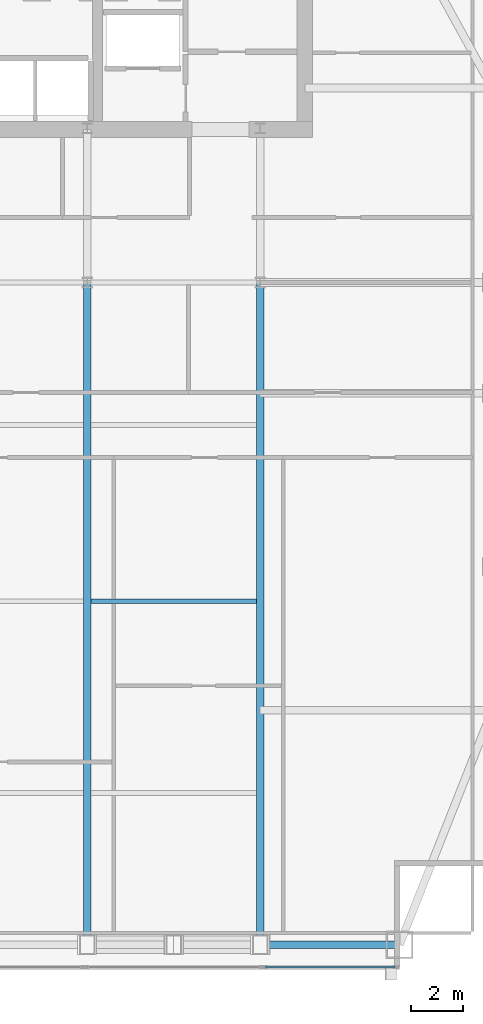
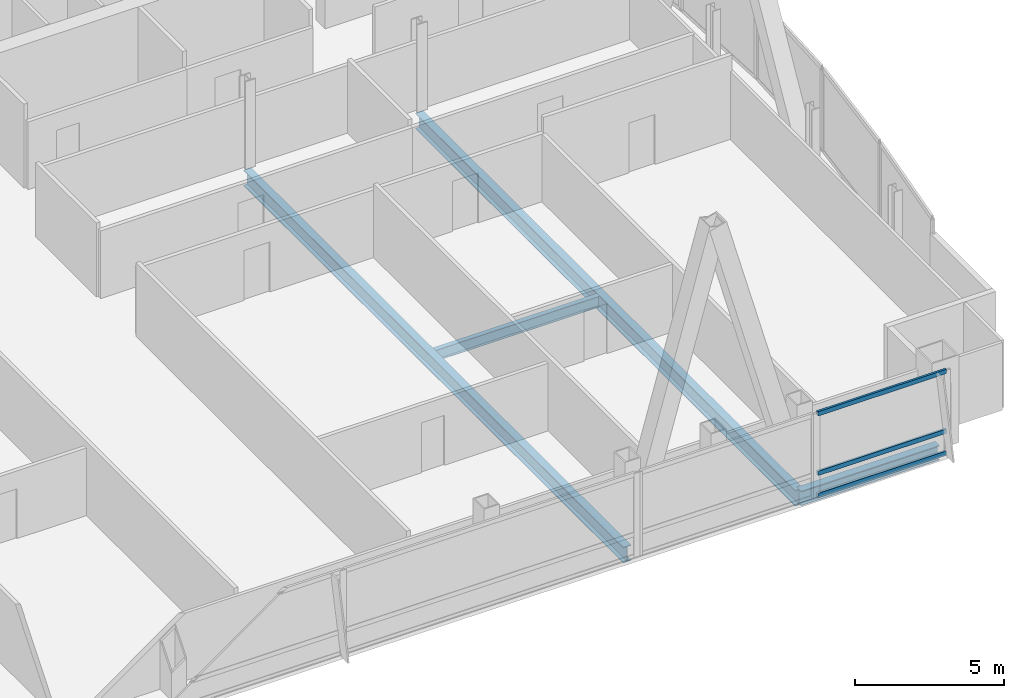
# One storey, part 15 of 31: 4 beams, 3 members, 1 element without a shape of its own.
"""IFC4 building model written with IfcOpenShell, lengths in metres."""

import ifcopenshell
import ifcopenshell.guid

model = None  # the IFC model being written
_history = None  # IfcOwnerHistory: only IFC2X3 demands one
_inside = {}  # id of a spatial element -> (the spatial element, [elements in it])
_under = {}  # id of a project, library or spatial element -> (it, [spatial elements below it])
_declared = {}  # id of a project -> (the project, [libraries it declares])
_typed = {}  # id of a type object -> (the type object, [elements of that type])
_made_of = {}  # id of a material, layer set ... -> (it, [elements and type objects made of it])


def new_model(schema):
    """Start an empty IFC model of exactly this schema.

    Asked for "IFC4X3", IfcOpenShell would pick the latest addendum, in which some entities
    have other attributes; the version numbers below select the first issue.
    IFC2X3 requires an IfcOwnerHistory on every rooted entity: one is made here for all.
    """
    global model, _history
    if schema == "IFC4X3":
        model = ifcopenshell.file(schema_version=(4, 3, 0, 0))
    else:
        model = ifcopenshell.file(schema=schema)
    _inside.clear()
    _under.clear()
    _declared.clear()
    _typed.clear()
    _made_of.clear()
    _history = None
    if model.schema == "IFC2X3":
        org = make("IfcOrganization", Name="unknown")
        user = make(
            "IfcPersonAndOrganization",
            ThePerson=make("IfcPerson", FamilyName="unknown"),
            TheOrganization=org,
        )
        app = make(
            "IfcApplication",
            ApplicationDeveloper=org,
            Version="unknown",
            ApplicationFullName="unknown",
            ApplicationIdentifier="unknown",
        )
        _history = make(
            "IfcOwnerHistory",
            OwningUser=user,
            OwningApplication=app,
            ChangeAction="ADDED",
            CreationDate=0,
        )
    return model


def make(cls, **values):
    """One entity of the class cls with the attributes given. An attribute that is None is left unset."""
    return model.create_entity(
        cls, **{name: value for name, value in values.items() if value is not None}
    )


def rooted(cls, **values):
    """An entity with a GlobalId (a new one), such as an element, a storey or a relation."""
    return make(cls, GlobalId=ifcopenshell.guid.new(), OwnerHistory=_history, **values)


def si_unit(unit_type, name, prefix=None):
    """IfcSIUnit, for example si_unit("LENGTHUNIT", "METRE", prefix="MILLI")."""
    return make("IfcSIUnit", UnitType=unit_type, Prefix=prefix, Name=name)


def assignment(units):
    """IfcUnitAssignment: the units of a project."""
    return None if units is None else make("IfcUnitAssignment", Units=units)


def point(xyz):
    """IfcCartesianPoint."""
    return None if xyz is None else make("IfcCartesianPoint", Coordinates=xyz)


def direction(xyz):
    """IfcDirection."""
    return None if xyz is None else make("IfcDirection", DirectionRatios=xyz)


def frame(location, z_axis=None, x_axis=None):
    """IfcAxis2Placement3D, a coordinate frame: its origin and axes. An axis left out is left unset."""
    return make(
        "IfcAxis2Placement3D",
        Location=point(location),
        Axis=direction(z_axis),
        RefDirection=direction(x_axis),
    )


def frame_2d(location, x_axis=None):
    """IfcAxis2Placement2D, a coordinate frame in the plane: its origin and x axis."""
    return make(
        "IfcAxis2Placement2D", Location=point(location), RefDirection=direction(x_axis)
    )


def origin():
    """The frame at (0, 0, 0) with its axes left unset."""
    return frame((0.0, 0.0, 0.0))


def origin_2d():
    """The frame at (0, 0) in the plane with its x axis left unset."""
    return frame_2d((0.0, 0.0))


def place(relative_to, where):
    """IfcLocalPlacement: puts the frame where relative to a parent placement (None: the world)."""
    return make(
        "IfcLocalPlacement", PlacementRelTo=relative_to, RelativePlacement=where
    )


def context(
    kind, dimensions, precision=None, world=None, true_north=None, identifier=None
):
    """IfcGeometricRepresentationContext, for example the 3D "Model" context."""
    return make(
        "IfcGeometricRepresentationContext",
        ContextIdentifier=identifier,
        ContextType=kind,
        CoordinateSpaceDimension=dimensions,
        Precision=precision,
        WorldCoordinateSystem=world,
        TrueNorth=true_north,
    )


def subcontext(parent, identifier, kind, view, scale=None):
    """IfcGeometricRepresentationSubContext, for example "Body" below "Model"."""
    return make(
        "IfcGeometricRepresentationSubContext",
        ContextIdentifier=identifier,
        ContextType=kind,
        ParentContext=parent,
        TargetScale=scale,
        TargetView=view,
    )


def project(units=None, contexts=None):
    """IfcProject with its units and contexts."""
    return rooted(
        "IfcProject",
        Name="project",
        RepresentationContexts=contexts,
        UnitsInContext=assignment(units),
    )


def spatial(cls, under=None, at=None, **own):
    """A site, building, storey or space (cls), placed at a placement, below another one or the project."""
    s = rooted(cls, ObjectPlacement=at, **own)
    if under is not None:
        _under.setdefault(under.id(), (under, []))[1].append(s)
    return s


def profile(cls, at=None, kind="AREA", **sizes):
    """A parametric profile (cls). Its sizes go by their IFC names, for example OverallWidth=200.0."""
    return make(cls, ProfileType=kind, Position=at, **sizes)


def hollow_rectangle(**sizes):
    """IfcRectangleHollowProfileDef."""
    return profile("IfcRectangleHollowProfileDef", **sizes)


def i_section(**sizes):
    """IfcIShapeProfileDef."""
    return profile("IfcIShapeProfileDef", **sizes)


def extrude(swept, where, along, depth):
    """IfcExtrudedAreaSolid: the profile swept, set in the frame where, extruded along a direction by depth."""
    return make(
        "IfcExtrudedAreaSolid",
        SweptArea=swept,
        Position=where,
        ExtrudedDirection=direction(along),
        Depth=depth,
    )


def shape(context_of_items, identifier, shape_type, items):
    """IfcShapeRepresentation: the items that make up one representation, for example the "Body"."""
    return make(
        "IfcShapeRepresentation",
        ContextOfItems=context_of_items,
        RepresentationIdentifier=identifier,
        RepresentationType=shape_type,
        Items=items,
    )


def material(Name=None, Category=None):
    """IfcMaterial."""
    return make("IfcMaterial", Name=Name, Category=Category)


def material_profile(
    of_material, cross_section, Name=None, Category=None, Priority=None
):
    """IfcMaterialProfile: a cross section and its material."""
    return make(
        "IfcMaterialProfile",
        Name=Name,
        Material=of_material,
        Profile=cross_section,
        Priority=Priority,
        Category=Category,
    )


def profile_set(profiles, Name=None, composite=None):
    """IfcMaterialProfileSet."""
    return make(
        "IfcMaterialProfileSet",
        Name=Name,
        MaterialProfiles=profiles,
        CompositeProfile=composite,
    )


def made_of(thing, what):
    """Note that an element or type object is made of a material, layer set ...; save() writes the relation."""
    if what is not None:
        _made_of.setdefault(what.id(), (what, []))[1].append(thing)
    return thing


def type_object(cls, material=None, **own):
    """A type object (cls), such as IfcWallType, which elements share."""
    return made_of(rooted(cls, **own), material)


def element(
    cls,
    number,
    at=None,
    inside=None,
    cuts=None,
    type_object=None,
    material=None,
    context=None,
    identifier="Body",
    shape_type=None,
    held_by="IfcProductDefinitionShape",
    body=None,
    shapes=None,
    **own,
):
    """One element of the class cls, such as IfcWall. Its Tag is "e" and its number.

    at: its placement. inside: the storey or other place that contains it. cuts: it is an
    opening in that element (IfcRelVoidsElement). A single representation is given by context,
    identifier, shape_type and body (its items); several are given by shapes. held_by: the class
    of the entity that holds the representations. save() writes the other relations.
    """
    e = rooted(cls, Tag="e%d" % number, ObjectPlacement=at, **own)
    if body is not None:
        shapes = [shape(context, identifier, shape_type, body)]
    if shapes is not None:
        e.Representation = make(held_by, Representations=shapes)
    if inside is not None:
        _inside.setdefault(inside.id(), (inside, []))[1].append(e)
    if cuts is not None:
        rooted(
            "IfcRelVoidsElement", RelatingBuildingElement=cuts, RelatedOpeningElement=e
        )
    if type_object is not None:
        _typed.setdefault(type_object.id(), (type_object, []))[1].append(e)
    return made_of(e, material)


def aggregate(whole, parts):
    """IfcRelAggregates: a whole, such as a stair, and the parts it consists of."""
    return rooted("IfcRelAggregates", RelatingObject=whole, RelatedObjects=parts)


def save(model, path):
    """Write the relations noted so far, then the file.

    IfcRelAggregates (storeys below a building ...), IfcRelContainedInSpatialStructure (elements
    in a storey), IfcRelDefinesByType, IfcRelAssociatesMaterial and IfcRelDeclares: one each for
    every whole, place, type object, material and project.
    """
    for whole, parts in _under.values():
        aggregate(whole, parts)
    for where, things in _inside.values():
        rooted(
            "IfcRelContainedInSpatialStructure",
            RelatedElements=things,
            RelatingStructure=where,
        )
    for kind, things in _typed.values():
        rooted("IfcRelDefinesByType", RelatedObjects=things, RelatingType=kind)
    for what, things in _made_of.values():
        rooted("IfcRelAssociatesMaterial", RelatedObjects=things, RelatingMaterial=what)
    for by, libraries in _declared.values():
        rooted("IfcRelDeclares", RelatingContext=by, RelatedDefinitions=libraries)
    model.write(path)


model = new_model("IFC4")

# Units and contexts
model_context = context("Model", 3, precision=1e-05, world=origin(), true_north=direction((0.0, 1.0)))
body_context = subcontext(model_context, "Body", "Model", "MODEL_VIEW")
ifc_project = project(units=[si_unit("LENGTHUNIT", "METRE"), si_unit("AREAUNIT", "SQUARE_METRE"), si_unit("VOLUMEUNIT", "CUBIC_METRE"), si_unit("PLANEANGLEUNIT", "RADIAN"), si_unit("MASSUNIT", "GRAM", prefix="KILO")], contexts=[model_context])

# Site, building, storey
site_placement = place(None, origin())
site = spatial("IfcSite", under=ifc_project, at=site_placement, CompositionType="ELEMENT")
building_placement = place(site_placement, origin())
building = spatial("IfcBuilding", under=site, at=building_placement, Name="Khoronbel Lancet Exchange", CompositionType="ELEMENT")
storey_placement = place(building_placement, frame((0.0, 0.0, 249.800048828125)))
storey = spatial("IfcBuildingStorey", under=building, at=storey_placement, Name="L64", CompositionType="ELEMENT", Elevation=249.800048828125)

# Beams
ifc_material_1 = material(Name="Steel S355", Category="steel")
ifc_material_profile_1 = material_profile(ifc_material_1, i_section(OverallWidth=0.300048828125, OverallDepth=0.64990234375, WebThickness=0.01611328125, FlangeThickness=0.031005859375, at=origin_2d()), Name="HEB 650")
ifc_profile_set_1 = profile_set([ifc_material_profile_1], Name="Steel S355")
beam_type_1 = type_object("IfcBeamType", Name="BM-BG4", PredefinedType="BEAM", material=ifc_profile_set_1)
for number, where, z_axis, x_axis, name in (
    (1, (48.0, 10.14990234375, -0.485107421875), (0.0, 1.0, 0.0), (-1.0, 0.0, 0.0), "Level L64 south primary girder GS5"),
    (2, (54.675048828125, 10.14990234375, -0.485107421875), (0.0, 1.0, 0.0), (-1.0, 0.0, 0.0), "Level L64 south primary girder GS6"),
):
    element("IfcBeam", number, at=place(storey_placement, frame(where, z_axis=z_axis, x_axis=x_axis)), inside=storey, type_object=beam_type_1, Name=name, PredefinedType="BEAM", context=body_context, shape_type="SweptSolid", body=[
        extrude(i_section(OverallWidth=0.300048828125, OverallDepth=0.64990234375, WebThickness=0.01611328125, FlangeThickness=0.031005859375, at=origin_2d()), origin(), (0.0, 0.0, 1.0), 25.550048828125),
    ])
ifc_material_profile_2 = material_profile(ifc_material_1, i_section(OverallWidth=0.18994140625, OverallDepth=0.449951171875, WebThickness=0.009521484375, FlangeThickness=0.0146484375, at=origin_2d()), Name="IPE 450")
ifc_profile_set_2 = profile_set([ifc_material_profile_2], Name="Steel S355")
beam_type_2 = type_object("IfcBeamType", Name="BM-BJ4", PredefinedType="JOIST", material=ifc_profile_set_2)
beam_1_placement = place(storey_placement, frame((48.14990234375, 23.39990234375, -0.385009765625), z_axis=(1.0, 0.0, 0.0), x_axis=(0.0, 1.0, 0.0)))
element("IfcBeam", 3, at=beam_1_placement, inside=storey, type_object=beam_type_2, Name="Level L64 secondary composite joist J10", PredefinedType="JOIST", context=body_context, shape_type="SweptSolid", body=[
    extrude(i_section(OverallWidth=0.18994140625, OverallDepth=0.449951171875, WebThickness=0.009521484375, FlangeThickness=0.0146484375, at=origin_2d()), origin(), (0.0, 0.0, 1.0), 6.375),
])
ifc_material_profile_3 = material_profile(ifc_material_1, i_section(OverallWidth=0.300048828125, OverallDepth=0.60009765625, WebThickness=0.015380859375, FlangeThickness=0.030029296875, at=origin_2d()), Name="HEB 600")
ifc_profile_set_3 = profile_set([ifc_material_profile_3], Name="Steel S355")
beam_type_3 = type_object("IfcBeamType", Name="BM-BSP2", PredefinedType="SPANDREL", material=ifc_profile_set_3)
beam_2_placement = place(storey_placement, frame((54.675048828125, 10.14990234375, -0.4599609375), z_axis=(1.0, 0.0, 0.0), x_axis=(0.0, 1.0, 0.0)))
element("IfcBeam", 4, at=beam_2_placement, inside=storey, type_object=beam_type_3, Name="Level L64 perimeter spandrel beam SP09", PredefinedType="SPANDREL", context=body_context, shape_type="SweptSolid", body=[
    extrude(i_section(OverallWidth=0.300048828125, OverallDepth=0.60009765625, WebThickness=0.015380859375, FlangeThickness=0.030029296875, at=origin_2d()), origin(), (0.0, 0.0, 1.0), 5.375),
])

# Curtain wall, members
ifc_material_2 = material(Name="Low-E Solar Control Insulating Glass", Category="glass")
curtain_wall_type = type_object("IfcCurtainWallType", Name="CW-3", PredefinedType="NOTDEFINED", material=ifc_material_2)
curtain_wall_placement = place(storey_placement, origin())
curtain_wall = element("IfcCurtainWall", 5, at=curtain_wall_placement, inside=storey, type_object=curtain_wall_type, Name="Unitised curtain wall CW-L64-SEV", PredefinedType="NOTDEFINED")
ifc_material_3 = material(Name="Bronze-Anodised Aluminium 6063-T6", Category="aluminium")
ifc_material_profile_4 = material_profile(ifc_material_3, hollow_rectangle(XDim=0.0849609375, YDim=0.179931640625, WallThickness=0.0048828125, at=origin_2d()), Name="ALU TRANSOM 85x180")
ifc_profile_set_4 = profile_set([ifc_material_profile_4], Name="Bronze-Anodised Aluminium 6063-T6")
member_type = type_object("IfcMemberType", Name="MEM-CWT1", PredefinedType="USERDEFINED", material=ifc_profile_set_4)
member_1_placement = place(storey_placement, frame((54.885009765625, 9.2900390625, 0.04248046875), z_axis=(1.0, 0.0, 0.0), x_axis=(0.0, 1.0, 0.0)))
member_1 = element("IfcMember", 6, at=member_1_placement, type_object=member_type, Name="CW3 transom 1.1", ObjectType="TRANSOM", PredefinedType="USERDEFINED", context=body_context, shape_type="SweptSolid", body=[
    extrude(hollow_rectangle(XDim=0.0849609375, YDim=0.179931640625, WallThickness=0.0048828125, at=origin_2d()), origin(), (0.0, 0.0, 1.0), 4.989990234375),
])
member_2_placement = place(storey_placement, frame((54.885009765625, 9.2900390625, 0.949951171875), z_axis=(1.0, 0.0, 0.0), x_axis=(0.0, 1.0, 0.0)))
member_2 = element("IfcMember", 7, at=member_2_placement, type_object=member_type, Name="CW3 transom 1.2", ObjectType="TRANSOM", PredefinedType="USERDEFINED", context=body_context, shape_type="SweptSolid", body=[
    extrude(hollow_rectangle(XDim=0.0849609375, YDim=0.179931640625, WallThickness=0.0048828125, at=origin_2d()), origin(), (0.0, 0.0, 1.0), 4.989990234375),
])
member_3_placement = place(storey_placement, frame((54.885009765625, 9.2900390625, 3.3974609375), z_axis=(1.0, 0.0, 0.0), x_axis=(0.0, 1.0, 0.0)))
member_3 = element("IfcMember", 8, at=member_3_placement, type_object=member_type, Name="CW3 transom 1.3", ObjectType="TRANSOM", PredefinedType="USERDEFINED", context=body_context, shape_type="SweptSolid", body=[
    extrude(hollow_rectangle(XDim=0.0849609375, YDim=0.179931640625, WallThickness=0.0048828125, at=origin_2d()), origin(), (0.0, 0.0, 1.0), 4.989990234375),
])
aggregate(curtain_wall, [member_1, member_2, member_3])

save(model, "model.ifc")
